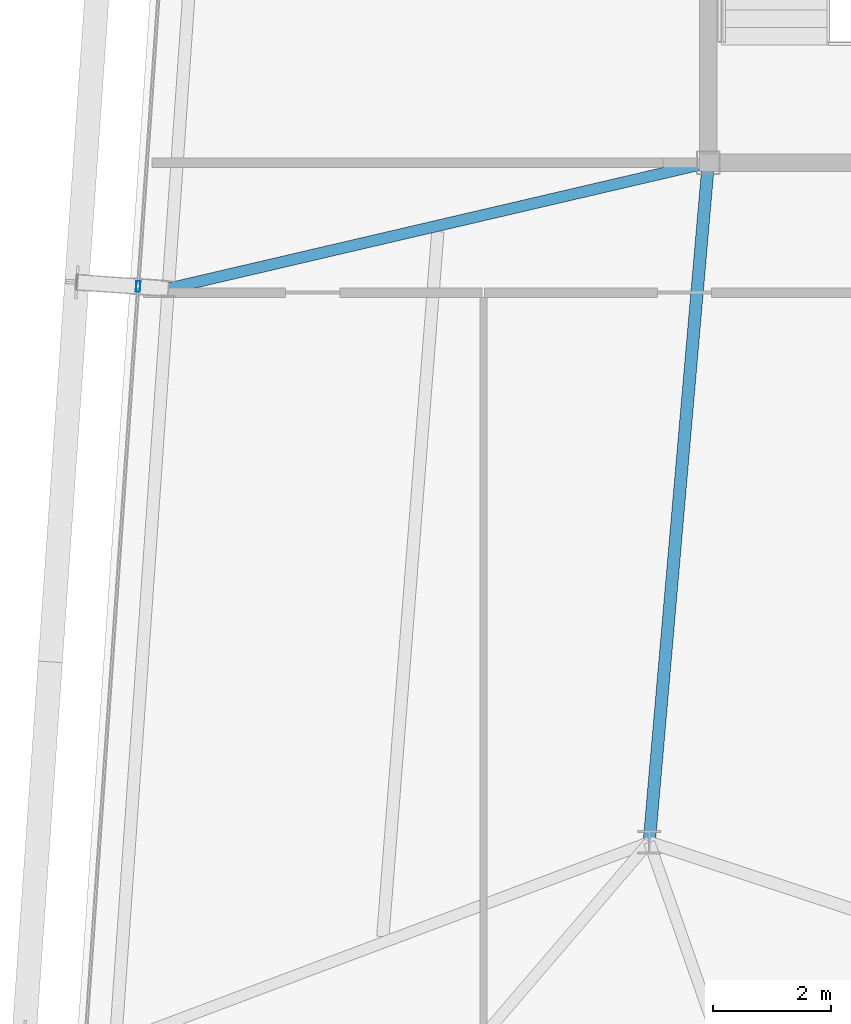
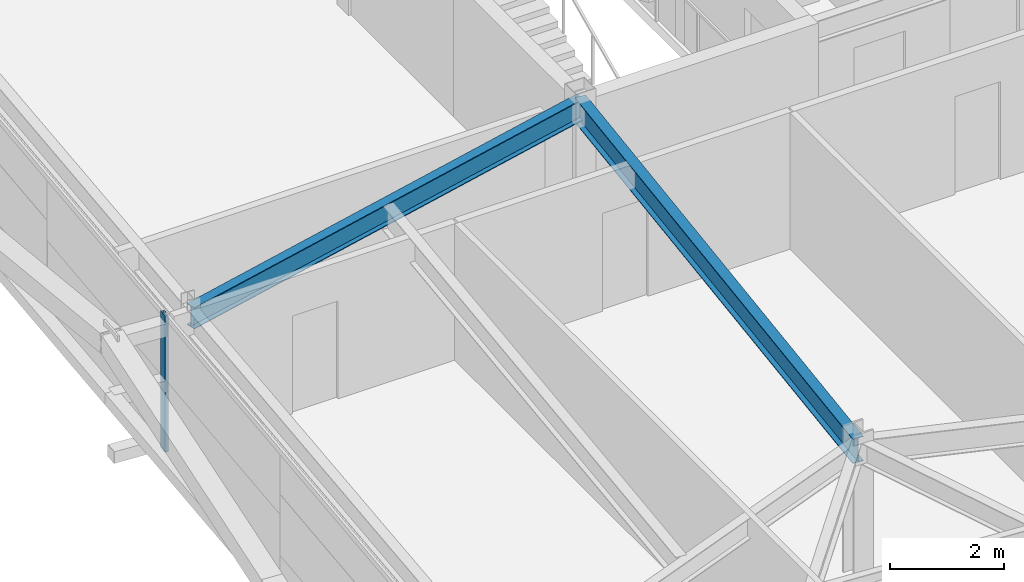
# One storey, part 11 of 39: 2 beams, 1 member, 1 element without a shape of its own.
"""IFC4 building model written with IfcOpenShell, lengths in metres."""

from ifc_helpers import new_model, si_unit, direction, frame, origin, origin_2d, place, context, subcontext, project, spatial, hollow_rectangle, i_section, extrude, source, transform, mapped, material, layer, layer_set, material_profile, profile_set, type_object, element, aggregate, save


model = new_model("IFC4")

# Units and contexts
model_context = context("Model", 3, precision=1e-05, world=origin(), true_north=direction((0.0, 1.0)))
body_context = subcontext(model_context, "Body", "Model", "MODEL_VIEW")
ifc_project = project(units=[si_unit("LENGTHUNIT", "METRE"), si_unit("AREAUNIT", "SQUARE_METRE"), si_unit("VOLUMEUNIT", "CUBIC_METRE"), si_unit("PLANEANGLEUNIT", "RADIAN"), si_unit("MASSUNIT", "GRAM", prefix="KILO")], contexts=[model_context])

# Site, building, storey
site_placement = place(None, origin())
site = spatial("IfcSite", under=ifc_project, at=site_placement, CompositionType="ELEMENT")
building_placement = place(site_placement, origin())
building = spatial("IfcBuilding", under=site, at=building_placement, Name="Taldren Reach Tower", CompositionType="ELEMENT")
storey_placement = place(building_placement, frame((0.0, 0.0, 133.0)))
storey = spatial("IfcBuildingStorey", under=building, at=storey_placement, Name="L40", CompositionType="ELEMENT", Elevation=133.0)

# Beams
ifc_material_1 = material(Name="Steel Gr 350 (350PLUS)", Category="steel")
ifc_material_profile_1 = material_profile(ifc_material_1, i_section(OverallWidth=0.208984375, OverallDepth=0.532958984375, WebThickness=0.01025390625, FlangeThickness=0.015625, at=origin_2d()), Name="530UB92.4")
ifc_profile_set_1 = profile_set([ifc_material_profile_1], Name="Steel Gr 350 (350PLUS)")
beam_type_1 = type_object("IfcBeamType", Name="BM-UB530A", PredefinedType="BEAM", material=ifc_profile_set_1)
shared_shape_1 = source(origin(), body_context, "Body", "SweptSolid", [
    extrude(i_section(OverallWidth=0.208984375, OverallDepth=0.532958984375, WebThickness=0.01025390625, FlangeThickness=0.015625, at=origin_2d()), origin(), (0.0, 0.0, 1.0), 11.54345703125),
])
beam_1_placement = place(storey_placement, frame((19.0, 24.0, 2.66357421875), z_axis=(-0.086629616365, -0.996240588196, 0.0), x_axis=(0.996240588196, -0.086629616365, 0.0)))
element("IfcBeam", 1, at=beam_1_placement, inside=storey, type_object=beam_type_1, Name="Core-spine girder L40-SP09", PredefinedType="BEAM", context=body_context, shape_type="MappedRepresentation", body=[
    mapped(shared_shape_1, transform((0.0, 0.0, 0.0), scale=1.0)),
])
ifc_material_profile_2 = material_profile(ifc_material_1, i_section(OverallWidth=0.19091796875, OverallDepth=0.4599609375, WebThickness=0.010009765625, FlangeThickness=0.01611328125, at=origin_2d()), Name="460UB82.1")
ifc_profile_set_2 = profile_set([ifc_material_profile_2], Name="Steel Gr 350 (350PLUS)")
beam_type_2 = type_object("IfcBeamType", Name="BM-UB460A", PredefinedType="BEAM", material=ifc_profile_set_2)
shared_shape_2 = source(origin(), body_context, "Body", "SweptSolid", [
    extrude(i_section(OverallWidth=0.19091796875, OverallDepth=0.4599609375, WebThickness=0.010009765625, FlangeThickness=0.01611328125, at=origin_2d()), origin(), (0.0, 0.0, 1.0), 9.383544921875),
])
beam_2_placement = place(storey_placement, frame((19.0, 24.0, 2.699951171875), z_axis=(-0.973856560651, -0.227163815951, 0.0), x_axis=(0.227163815951, -0.973856560651, 0.0)))
element("IfcBeam", 2, at=beam_2_placement, inside=storey, type_object=beam_type_2, Name="Primary floor girder B3-W2 L40", PredefinedType="BEAM", context=body_context, shape_type="MappedRepresentation", body=[
    mapped(shared_shape_2, transform((0.0, 0.0, 0.0), scale=1.0)),
])

# Curtain wall, member
ifc_material_2 = material(Name="Aluminium and Low-E Glass Unitised System", Category="aluminium")
ifc_layer = layer(ifc_material_2, 0.159912109375)
ifc_layer_set = layer_set([ifc_layer], Name="Aluminium and Low-E Glass Unitised System")
curtain_wall_type = type_object("IfcCurtainWallType", Name="CW-SYS-4", PredefinedType="NOTDEFINED", material=ifc_layer_set)
curtain_wall_placement = place(storey_placement, origin())
curtain_wall = element("IfcCurtainWall", 3, at=curtain_wall_placement, inside=storey, type_object=curtain_wall_type, Name="Unitised curtain wall CW-L40-W", PredefinedType="NOTDEFINED")
ifc_material_3 = material(Name="Anodised Aluminium 6063-T6", Category="aluminium")
ifc_material_profile_3 = material_profile(ifc_material_3, hollow_rectangle(XDim=0.070068359375, YDim=0.179931640625, WallThickness=0.00390625, at=origin_2d()), Name="ALU-180x70x4RHS")
ifc_profile_set_3 = profile_set([ifc_material_profile_3], Name="Anodised Aluminium 6063-T6")
member_type = type_object("IfcMemberType", Name="CW-MUL-180", PredefinedType="MULLION", material=ifc_profile_set_3)
shared_shape_3 = source(origin(), body_context, "Body", "SweptSolid", [
    extrude(hollow_rectangle(XDim=0.070068359375, YDim=0.179931640625, WallThickness=0.00390625, at=origin_2d()), origin(), (0.0, 0.0, 1.0), 2.929931640625),
])
member_placement = place(storey_placement, frame((9.35302734375, 21.90380859375, 0.0), z_axis=(0.0, 0.0, 1.0), x_axis=(0.997564052812, -0.069756437251, 0.0)))
member = element("IfcMember", 4, at=member_placement, type_object=member_type, Name="CW-4 mullion 2", PredefinedType="MULLION", context=body_context, shape_type="MappedRepresentation", body=[
    mapped(shared_shape_3, transform((0.0, 0.0, 0.0), scale=1.0)),
])
aggregate(curtain_wall, [member])

save(model, "model.ifc")
